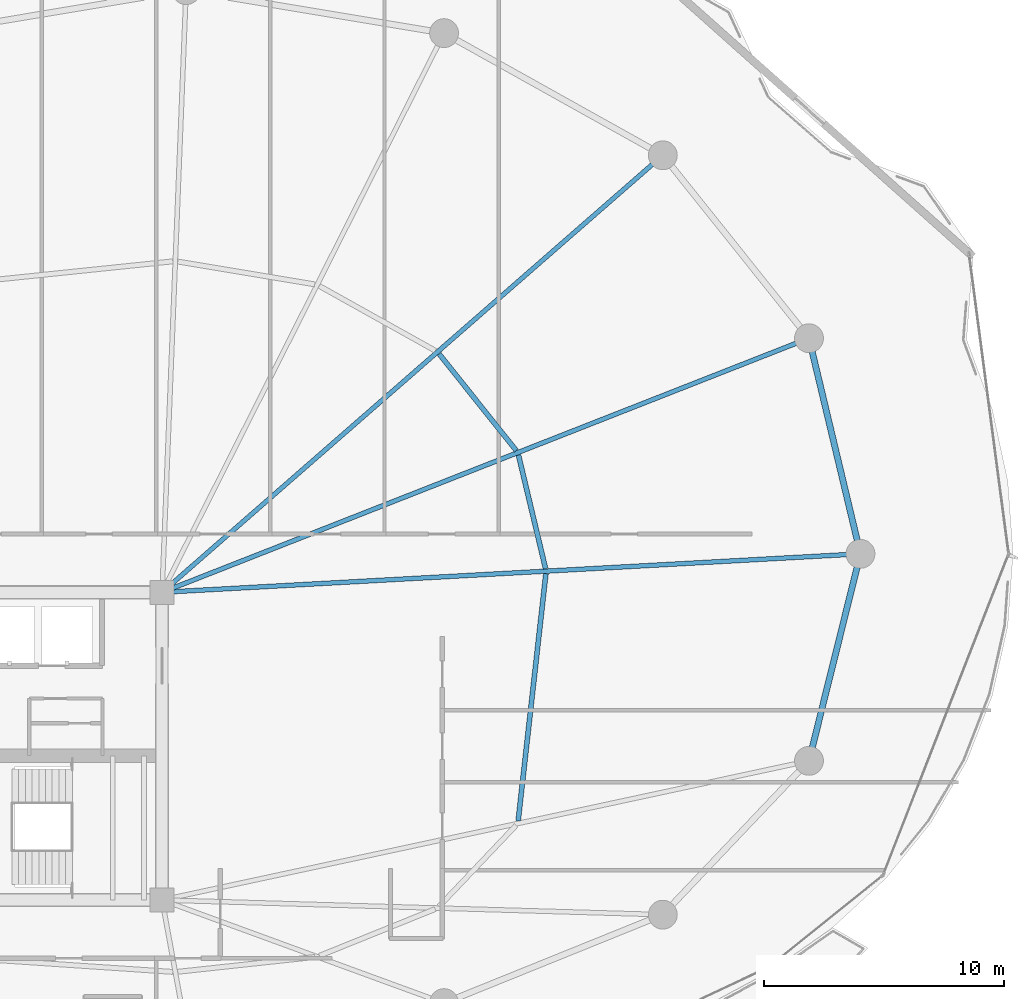
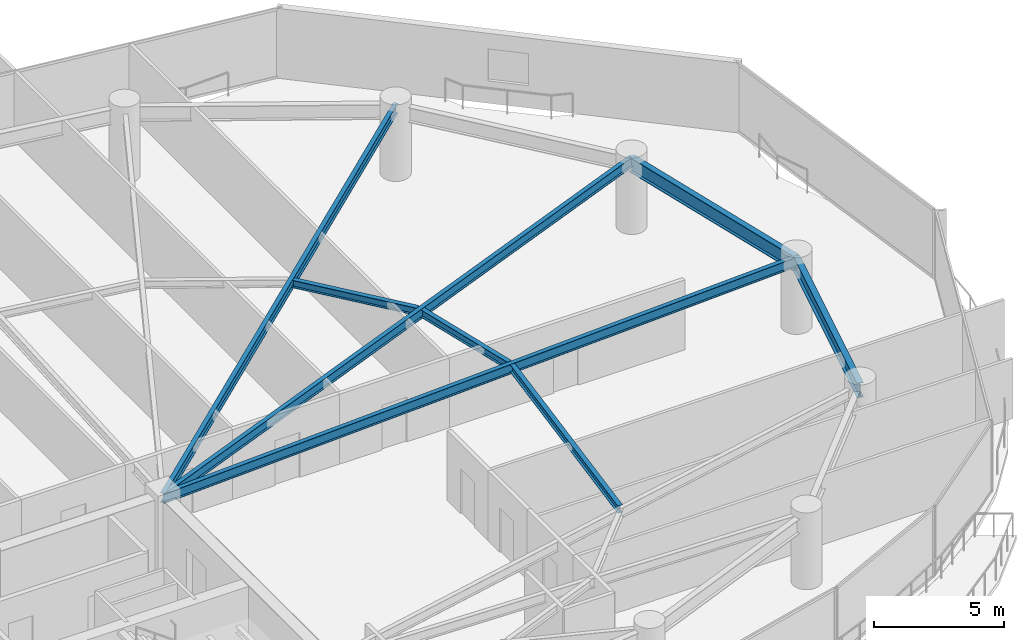
# One storey, part 16 of 33: 8 beams.
"""IFC4 building model written with IfcOpenShell, lengths in metres."""

from ifc_helpers import new_model, si_unit, direction, frame, origin, origin_2d, place, context, subcontext, project, spatial, i_section, extrude, material, material_profile, profile_set, type_object, element, save


model = new_model("IFC4")

# Units and contexts
model_context = context("Model", 3, precision=1e-05, world=origin(), true_north=direction((0.0, 1.0)))
body_context = subcontext(model_context, "Body", "Model", "MODEL_VIEW")
ifc_project = project(units=[si_unit("LENGTHUNIT", "METRE"), si_unit("AREAUNIT", "SQUARE_METRE"), si_unit("VOLUMEUNIT", "CUBIC_METRE"), si_unit("PLANEANGLEUNIT", "RADIAN"), si_unit("MASSUNIT", "GRAM", prefix="KILO")], contexts=[model_context])

# Site, building, storey
site_placement = place(None, origin())
site = spatial("IfcSite", under=ifc_project, at=site_placement, CompositionType="ELEMENT")
building_placement = place(site_placement, origin())
building = spatial("IfcBuilding", under=site, at=building_placement, Name="Kazevale Care Tower and Concert Hall", CompositionType="ELEMENT")
storey_placement = place(building_placement, frame((0.0, 0.0, 178.199951171875)))
storey = spatial("IfcBuildingStorey", under=building, at=storey_placement, Name="L47", CompositionType="ELEMENT", Elevation=178.199951171875)

# Beams
ifc_material = material(Name="Steel ASTM A572 Gr 50", Category="steel")
ifc_material_profile_1 = material_profile(ifc_material, i_section(OverallWidth=0.19091796875, OverallDepth=0.4599609375, WebThickness=0.010009765625, FlangeThickness=0.01611328125, at=origin_2d()), Name="W460x82")
ifc_profile_set_1 = profile_set([ifc_material_profile_1], Name="Steel ASTM A572 Gr 50")
beam_type_1 = type_object("IfcBeamType", Name="Radial Floor Beam W460x82", PredefinedType="BEAM", material=ifc_profile_set_1)
beam_1_placement = place(storey_placement, frame((44.0, 36.39990234375, 3.050048828125), z_axis=(0.998486500016, 0.054997357076, 0.0), x_axis=(-0.054997357076, 0.998486500016, 0.0)))
element("IfcBeam", 1, at=beam_1_placement, inside=storey, type_object=beam_type_1, Name="beam:L47:rad:01", PredefinedType="BEAM", context=body_context, shape_type="SweptSolid", body=[
    extrude(i_section(OverallWidth=0.19091796875, OverallDepth=0.4599609375, WebThickness=0.010009765625, FlangeThickness=0.01611328125, at=origin_2d()), origin(), (0.0, 0.0, 1.0), 29.093994140625),
])
beam_2_placement = place(storey_placement, frame((44.0, 36.39990234375, 3.050048828125), z_axis=(0.930771301513, 0.36560194786, 0.0), x_axis=(-0.36560194786, 0.930771301513, 0.0)))
element("IfcBeam", 2, at=beam_2_placement, inside=storey, type_object=beam_type_1, Name="beam:L47:rad:02", PredefinedType="BEAM", context=body_context, shape_type="SweptSolid", body=[
    extrude(i_section(OverallWidth=0.19091796875, OverallDepth=0.4599609375, WebThickness=0.010009765625, FlangeThickness=0.01611328125, at=origin_2d()), origin(), (0.0, 0.0, 1.0), 28.911376953125),
])
beam_3_placement = place(storey_placement, frame((44.0, 36.39990234375, 3.050048828125), z_axis=(0.753403181998, 0.657558853149, 0.0), x_axis=(-0.657558853149, 0.753403181998, 0.0)))
element("IfcBeam", 3, at=beam_3_placement, inside=storey, type_object=beam_type_1, Name="beam:L47:rad:03", PredefinedType="BEAM", context=body_context, shape_type="SweptSolid", body=[
    extrude(i_section(OverallWidth=0.19091796875, OverallDepth=0.4599609375, WebThickness=0.010009765625, FlangeThickness=0.01611328125, at=origin_2d()), origin(), (0.0, 0.0, 1.0), 27.64794921875),
])
ifc_material_profile_2 = material_profile(ifc_material, i_section(OverallWidth=0.205078125, OverallDepth=0.35400390625, WebThickness=0.009521484375, FlangeThickness=0.016845703125, at=origin_2d()), Name="W360x79")
ifc_profile_set_2 = profile_set([ifc_material_profile_2], Name="Steel ASTM A572 Gr 50")
beam_type_2 = type_object("IfcBeamType", Name="Secondary Floor Joist W360x79", PredefinedType="JOIST", material=ifc_profile_set_2)
beam_4_placement = place(storey_placement, frame((59.952880859375, 37.382080078125, 3.10302734375), z_axis=(-0.232005223279, 0.972714540023, 0.0), x_axis=(-0.972714540023, -0.232005223279, 0.0)))
element("IfcBeam", 4, at=beam_4_placement, inside=storey, type_object=beam_type_2, Name="beam:L47:joist:01", PredefinedType="JOIST", context=body_context, shape_type="SweptSolid", body=[
    extrude(i_section(OverallWidth=0.205078125, OverallDepth=0.35400390625, WebThickness=0.009521484375, FlangeThickness=0.016845703125, at=origin_2d()), origin(), (0.0, 0.0, 1.0), 4.861572265625),
])
beam_5_placement = place(storey_placement, frame((58.735107421875, 42.2958984375, 3.10302734375), z_axis=(-0.624261115922, 0.781215757104, 0.0), x_axis=(-0.781215757104, -0.624261115922, 0.0)))
element("IfcBeam", 5, at=beam_5_placement, inside=storey, type_object=beam_type_2, Name="beam:L47:joist:02", PredefinedType="JOIST", context=body_context, shape_type="SweptSolid", body=[
    extrude(i_section(OverallWidth=0.205078125, OverallDepth=0.35400390625, WebThickness=0.009521484375, FlangeThickness=0.016845703125, at=origin_2d()), origin(), (0.0, 0.0, 1.0), 5.147216796875),
])
beam_6_placement = place(storey_placement, frame((58.81201171875, 26.888916015625, 3.10302734375), z_axis=(0.111485011105, 0.993766115491, 0.0), x_axis=(-0.993766115491, 0.111485011105, 0.0)))
element("IfcBeam", 6, at=beam_6_placement, inside=storey, type_object=beam_type_2, Name="beam:L47:joist:16", PredefinedType="JOIST", context=body_context, shape_type="SweptSolid", body=[
    extrude(i_section(OverallWidth=0.205078125, OverallDepth=0.35400390625, WebThickness=0.009521484375, FlangeThickness=0.016845703125, at=origin_2d()), origin(), (0.0, 0.0, 1.0), 10.3515625),
])
ifc_material_profile_3 = material_profile(ifc_material, i_section(OverallWidth=0.256103515625, OverallDepth=0.693115234375, WebThickness=0.014404296875, FlangeThickness=0.023681640625, at=origin_2d()), Name="W690x170")
ifc_profile_set_3 = profile_set([ifc_material_profile_3], Name="Steel ASTM A572 Gr 50")
beam_type_3 = type_object("IfcBeamType", Name="Waist Ring Beam W690x170", PredefinedType="BEAM", material=ifc_profile_set_3)
beam_7_placement = place(storey_placement, frame((73.050048828125, 38.0, 2.93359375), z_axis=(-0.232075055882, 0.972697881378, 0.0), x_axis=(-0.972697881378, -0.232075055882, 0.0)))
element("IfcBeam", 7, at=beam_7_placement, inside=storey, type_object=beam_type_3, Name="beam:L47:ring:01", PredefinedType="BEAM", context=body_context, shape_type="SweptSolid", body=[
    extrude(i_section(OverallWidth=0.256103515625, OverallDepth=0.693115234375, WebThickness=0.014404296875, FlangeThickness=0.023681640625, at=origin_2d()), origin(), (0.0, 0.0, 1.0), 9.2216796875),
])
beam_8_placement = place(storey_placement, frame((70.909912109375, 29.389892578125, 2.93359375), z_axis=(0.241221022882, 0.970470204653, 0.0), x_axis=(-0.970470204653, 0.241221022882, 0.0)))
element("IfcBeam", 8, at=beam_8_placement, inside=storey, type_object=beam_type_3, Name="beam:L47:ring:16", PredefinedType="BEAM", context=body_context, shape_type="SweptSolid", body=[
    extrude(i_section(OverallWidth=0.256103515625, OverallDepth=0.693115234375, WebThickness=0.014404296875, FlangeThickness=0.023681640625, at=origin_2d()), origin(), (0.0, 0.0, 1.0), 8.8720703125),
])

save(model, "model.ifc")
